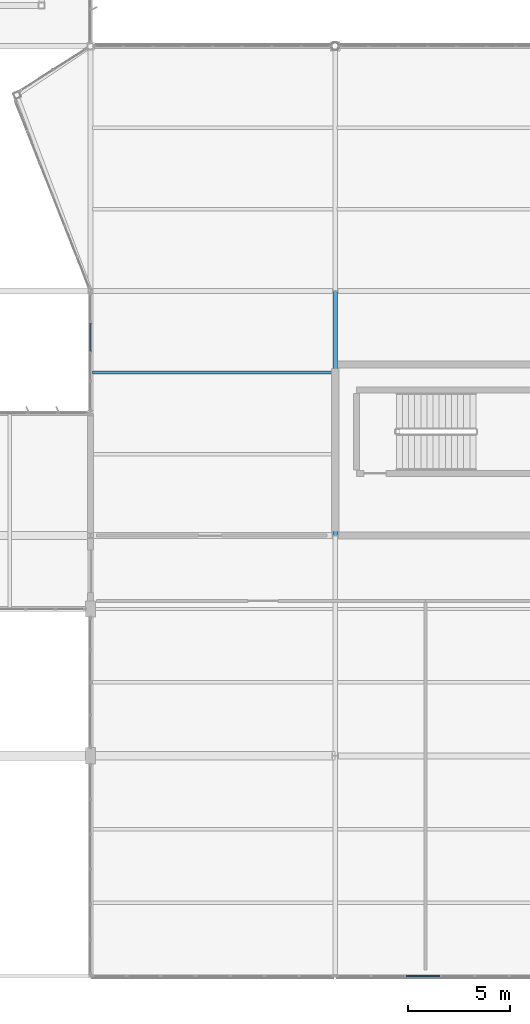
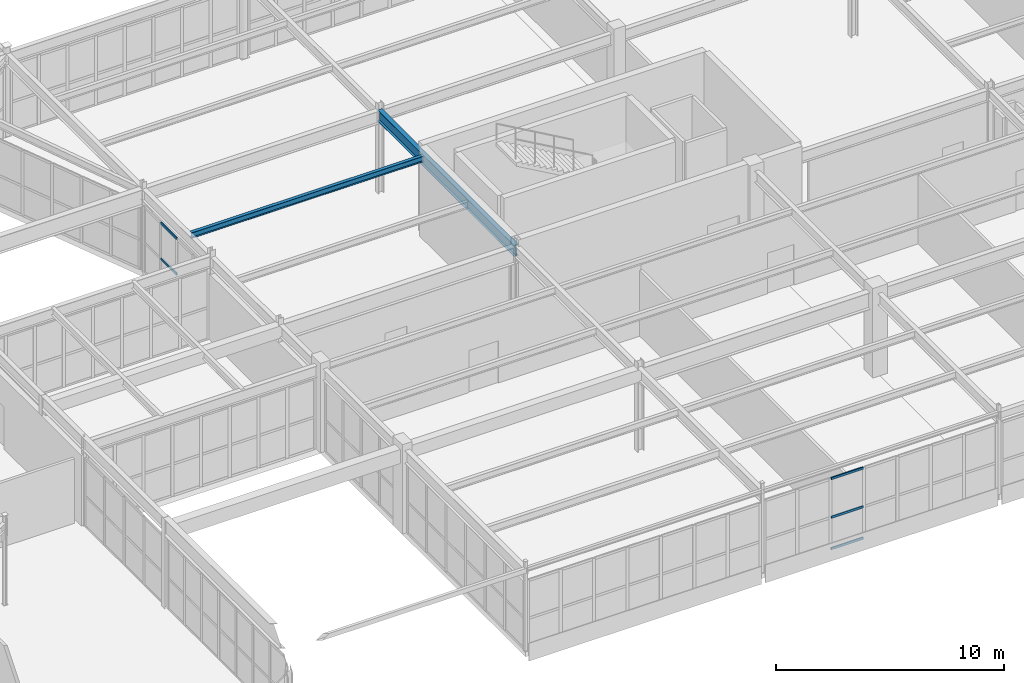
# One storey, part 88 of 186: 5 members, 2 beams, 2 elements without a shape of their own.
"""IFC4 building model written with IfcOpenShell, lengths in metres."""

from ifc_helpers import new_model, si_unit, direction, frame, origin, origin_2d, place, context, subcontext, project, spatial, rectangle, i_section, extrude, material, layer, layer_set, material_profile, profile_set, type_object, element, aggregate, save


model = new_model("IFC4")

# Units and contexts
model_context = context("Model", 3, precision=1e-05, world=origin(), true_north=direction((0.0, 1.0)))
body_context = subcontext(model_context, "Body", "Model", "MODEL_VIEW")
ifc_project = project(units=[si_unit("LENGTHUNIT", "METRE"), si_unit("AREAUNIT", "SQUARE_METRE"), si_unit("VOLUMEUNIT", "CUBIC_METRE"), si_unit("PLANEANGLEUNIT", "RADIAN"), si_unit("MASSUNIT", "GRAM", prefix="KILO")], contexts=[model_context])

# Site, building, storey
site_placement = place(None, origin())
site = spatial("IfcSite", under=ifc_project, at=site_placement, CompositionType="ELEMENT")
building_placement = place(site_placement, origin())
building = spatial("IfcBuilding", under=site, at=building_placement, Name="Tarnwether General Hospital", CompositionType="ELEMENT")
storey_placement = place(building_placement, frame((0.0, 0.0, 9.60009765625)))
storey = spatial("IfcBuildingStorey", under=building, at=storey_placement, Name="L02", CompositionType="ELEMENT", Elevation=9.60009765625)

# Beams
ifc_material_1 = material(Name="Steel Grade 350 (350 MPa)", Category="steel")
ifc_material_profile_1 = material_profile(ifc_material_1, i_section(OverallWidth=0.22802734375, OverallDepth=0.60205078125, WebThickness=0.010498046875, FlangeThickness=0.014892578125, at=origin_2d()), Name="610UB101")
ifc_profile_set_1 = profile_set([ifc_material_profile_1], Name="Steel Grade 350 (350 MPa)")
beam_type_1 = type_object("IfcBeamType", Name="BM-G05", PredefinedType="BEAM", material=ifc_profile_set_1)
beam_1_placement = place(storey_placement, frame((156.0, 21.60009765625, 4.143798828125), z_axis=(0.0, 1.0, 0.0), x_axis=(-1.0, 0.0, 0.0)))
element("IfcBeam", 1, at=beam_1_placement, inside=storey, type_object=beam_type_1, Name="Primary Girder BMG-L02-15600_2160-15600_3360-1593", PredefinedType="BEAM", context=body_context, shape_type="SweptSolid", body=[
    extrude(i_section(OverallWidth=0.22802734375, OverallDepth=0.60205078125, WebThickness=0.010498046875, FlangeThickness=0.014892578125, at=origin_2d()), origin(), (0.0, 0.0, 1.0), 12.0),
])
ifc_material_2 = material(Name="Steel Grade 350 (350 MPa)", Category="steel")
ifc_material_profile_2 = material_profile(ifc_material_2, i_section(OverallWidth=0.166015625, OverallDepth=0.306884765625, WebThickness=0.006591796875, FlangeThickness=0.01171875, at=origin_2d()), Name="310UB46.2")
ifc_profile_set_2 = profile_set([ifc_material_profile_2], Name="Steel Grade 350 (350 MPa)")
beam_type_2 = type_object("IfcBeamType", Name="BM-J05", PredefinedType="JOIST", material=ifc_profile_set_2)
beam_2_placement = place(storey_placement, frame((144.10791015625, 29.60009765625, 4.29150390625), z_axis=(1.0, 0.0, 0.0), x_axis=(0.0, 1.0, 0.0)))
element("IfcBeam", 2, at=beam_2_placement, inside=storey, type_object=beam_type_2, Name="Composite Floor Joist BMG-L02-14411_2960-15589_2960-1711", PredefinedType="JOIST", context=body_context, shape_type="SweptSolid", body=[
    extrude(i_section(OverallWidth=0.166015625, OverallDepth=0.306884765625, WebThickness=0.006591796875, FlangeThickness=0.01171875, at=origin_2d()), origin(), (0.0, 0.0, 1.0), 11.7841796875),
])

# Curtain wall, members
ifc_material_3 = material(Name="Anodised aluminium", Category="aluminium")
ifc_layer_1 = layer(ifc_material_3, 0.159912109375)
ifc_layer_set_1 = layer_set([ifc_layer_1], Name="Anodised aluminium")
curtain_wall_type_1 = type_object("IfcCurtainWallType", Name="CW-15", PredefinedType="NOTDEFINED", material=ifc_layer_set_1)
curtain_wall_1_placement = place(storey_placement, origin())
curtain_wall_1 = element("IfcCurtainWall", 3, at=curtain_wall_1_placement, inside=storey, type_object=curtain_wall_type_1, Name="Curtain Wall CWG-L02-1440_277-0440", PredefinedType="NOTDEFINED")
ifc_material_4 = material(Name="Anodised aluminium", Category="aluminium")
ifc_material_profile_3 = material_profile(ifc_material_4, rectangle(XDim=0.06005859375, YDim=0.1201171875, at=origin_2d()), Name="ALU-TRN-60x120")
ifc_profile_set_3 = profile_set([ifc_material_profile_3], Name="Anodised aluminium")
member_type = type_object("IfcMemberType", Name="CW-TR1", PredefinedType="USERDEFINED", material=ifc_profile_set_3)
member_1_placement = place(storey_placement, frame((144.0, 30.64111328125, 1.58837890625), z_axis=(0.0, 1.0, 0.0), x_axis=(-1.0, 0.0, 0.0)))
member_1 = element("IfcMember", 4, at=member_1_placement, type_object=member_type, Name="CW-15 transom 3.2", ObjectType="TRANSOM", PredefinedType="USERDEFINED", context=body_context, shape_type="SweptSolid", body=[
    extrude(rectangle(XDim=0.06005859375, YDim=0.1201171875, at=origin_2d()), origin(), (0.0, 0.0, 1.0), 1.3779296875),
])
member_2_placement = place(storey_placement, frame((144.0, 30.64111328125, 3.5), z_axis=(0.0, 1.0, 0.0), x_axis=(-1.0, 0.0, 0.0)))
member_2 = element("IfcMember", 5, at=member_2_placement, type_object=member_type, Name="CW-15 transom 3.3", ObjectType="TRANSOM", PredefinedType="USERDEFINED", context=body_context, shape_type="SweptSolid", body=[
    extrude(rectangle(XDim=0.06005859375, YDim=0.1201171875, at=origin_2d()), origin(), (0.0, 0.0, 1.0), 1.3779296875),
])
aggregate(curtain_wall_1, [member_1, member_2])

ifc_material_5 = material(Name="Anodised aluminium", Category="aluminium")
ifc_layer_2 = layer(ifc_material_5, 0.159912109375)
ifc_layer_set_2 = layer_set([ifc_layer_2], Name="Anodised aluminium")
curtain_wall_type_2 = type_object("IfcCurtainWallType", Name="CW-19", PredefinedType="NOTDEFINED", material=ifc_layer_set_2)
curtain_wall_2_placement = place(storey_placement, origin())
curtain_wall_2 = element("IfcCurtainWall", 6, at=curtain_wall_2_placement, inside=storey, type_object=curtain_wall_type_2, Name="Curtain Wall CWG-L02-1679_0-0458", PredefinedType="NOTDEFINED")
member_3_placement = place(storey_placement, frame((161.117431640625, 0.0, 0.02978515625), z_axis=(-1.0, 0.0, 0.0), x_axis=(0.0, -1.0, 0.0)))
member_3 = element("IfcMember", 7, at=member_3_placement, type_object=member_type, Name="CW-19 transom 5.1", ObjectType="TRANSOM", PredefinedType="USERDEFINED", context=body_context, shape_type="SweptSolid", body=[
    extrude(rectangle(XDim=0.06005859375, YDim=0.1201171875, at=origin_2d()), origin(), (0.0, 0.0, 1.0), 1.632080078125),
])
member_4_placement = place(storey_placement, frame((161.117431640625, 0.0, 1.718017578125), z_axis=(-1.0, 0.0, 0.0), x_axis=(0.0, -1.0, 0.0)))
member_4 = element("IfcMember", 8, at=member_4_placement, type_object=member_type, Name="CW-19 transom 5.2", ObjectType="TRANSOM", PredefinedType="USERDEFINED", context=body_context, shape_type="SweptSolid", body=[
    extrude(rectangle(XDim=0.06005859375, YDim=0.1201171875, at=origin_2d()), origin(), (0.0, 0.0, 1.0), 1.632080078125),
])
member_5_placement = place(storey_placement, frame((161.117431640625, 0.0, 3.787841796875), z_axis=(-1.0, 0.0, 0.0), x_axis=(0.0, -1.0, 0.0)))
member_5 = element("IfcMember", 9, at=member_5_placement, type_object=member_type, Name="CW-19 transom 5.3", ObjectType="TRANSOM", PredefinedType="USERDEFINED", context=body_context, shape_type="SweptSolid", body=[
    extrude(rectangle(XDim=0.06005859375, YDim=0.1201171875, at=origin_2d()), origin(), (0.0, 0.0, 1.0), 1.632080078125),
])
aggregate(curtain_wall_2, [member_3, member_4, member_5])

save(model, "model.ifc")
